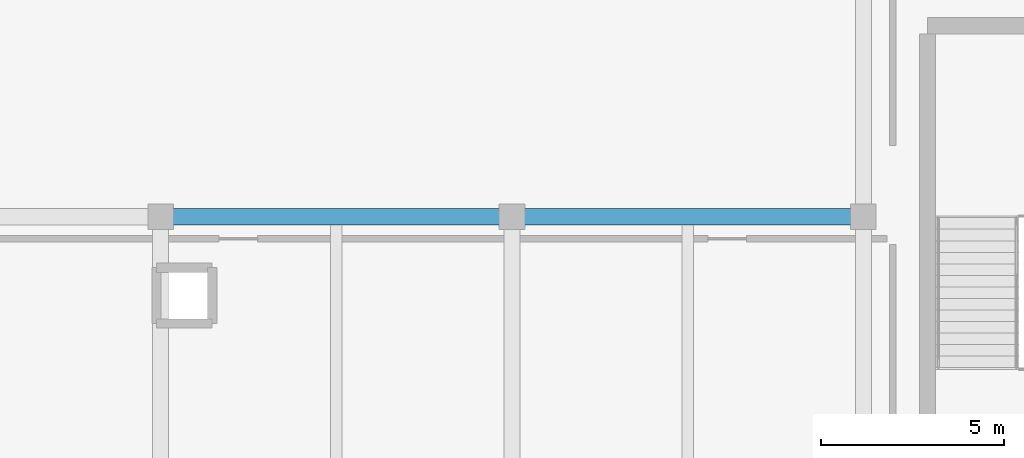
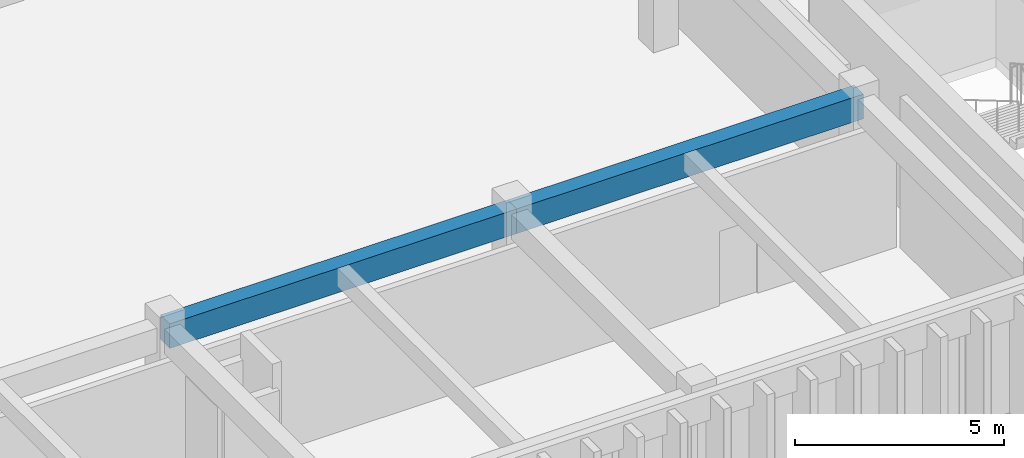
# One storey, part 16 of 133: 2 beams.
"""IFC4 building model written with IfcOpenShell, lengths in metres."""

from ifc_helpers import new_model, si_unit, direction, frame, origin, origin_2d, place, context, subcontext, project, spatial, rectangle, extrude, material, material_profile, profile_set, type_object, element, save


model = new_model("IFC4")

# Units and contexts
model_context = context("Model", 3, precision=1e-05, world=origin(), true_north=direction((0.0, 1.0)))
body_context = subcontext(model_context, "Body", "Model", "MODEL_VIEW")
ifc_project = project(units=[si_unit("LENGTHUNIT", "METRE"), si_unit("AREAUNIT", "SQUARE_METRE"), si_unit("VOLUMEUNIT", "CUBIC_METRE"), si_unit("PLANEANGLEUNIT", "RADIAN"), si_unit("MASSUNIT", "GRAM", prefix="KILO")], contexts=[model_context])

# Site, building, storey
site_placement = place(None, origin())
site = spatial("IfcSite", under=ifc_project, at=site_placement, CompositionType="ELEMENT")
building_placement = place(site_placement, origin())
building = spatial("IfcBuilding", under=site, at=building_placement, Name="Nakhvara Creek Congress Hotel", CompositionType="ELEMENT")
storey_placement = place(building_placement, frame((0.0, 0.0, 11.39990234375)))
storey = spatial("IfcBuildingStorey", under=building, at=storey_placement, Name="L02", CompositionType="ELEMENT", Elevation=11.39990234375)

# Beams
ifc_material = material(Name="Concrete C40/50", Category="concrete")
ifc_material_profile = material_profile(ifc_material, rectangle(XDim=0.43994140625, YDim=0.719970703125, at=origin_2d()), Name="RC-BM 440x720", Category="LoadBearing")
ifc_profile_set = profile_set([ifc_material_profile], Name="Concrete C40/50")
beam_type = type_object("IfcBeamType", Name="BM-RC-440X720", PredefinedType="BEAM", material=ifc_profile_set)
beam_1_placement = place(storey_placement, frame((96.0, 9.60009765625, 4.06005859375), z_axis=(1.0, 0.0, 0.0), x_axis=(0.0, 1.0, 0.0)))
element("IfcBeam", 1, at=beam_1_placement, inside=storey, type_object=beam_type, Name="Beam B12-L02-1481", PredefinedType="BEAM", context=body_context, shape_type="SweptSolid", body=[
    extrude(rectangle(XDim=0.43994140625, YDim=0.719970703125, at=origin_2d()), origin(), (0.0, 0.0, 1.0), 9.60009765625),
])
beam_2_placement = place(storey_placement, frame((105.60009765625, 9.60009765625, 4.06005859375), z_axis=(1.0, 0.0, 0.0), x_axis=(0.0, 1.0, 0.0)))
element("IfcBeam", 2, at=beam_2_placement, inside=storey, type_object=beam_type, Name="Beam B12-L02-1494", PredefinedType="BEAM", context=body_context, shape_type="SweptSolid", body=[
    extrude(rectangle(XDim=0.43994140625, YDim=0.719970703125, at=origin_2d()), origin(), (0.0, 0.0, 1.0), 9.599853515625),
])

save(model, "model.ifc")
